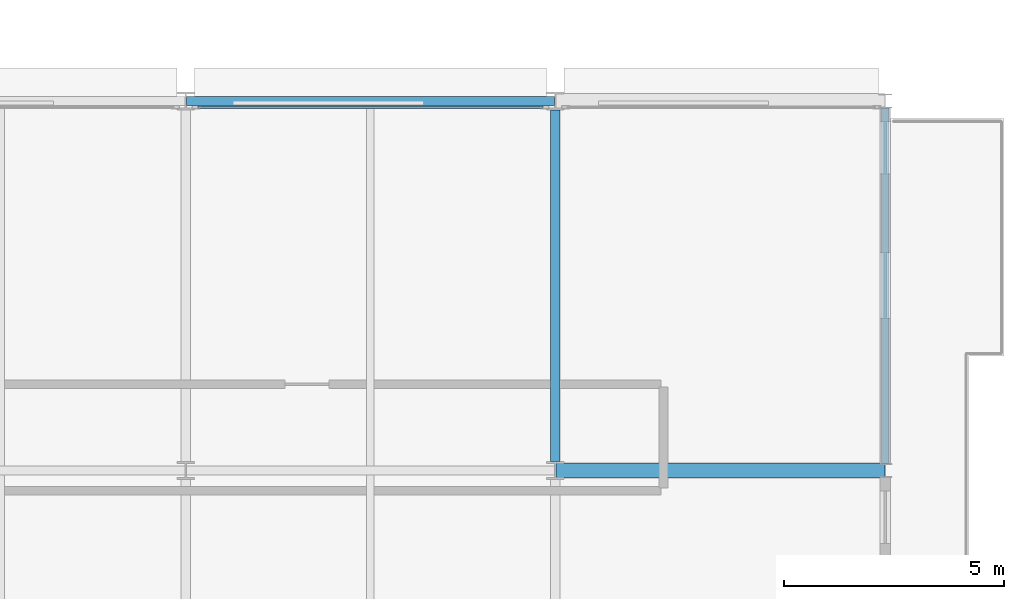
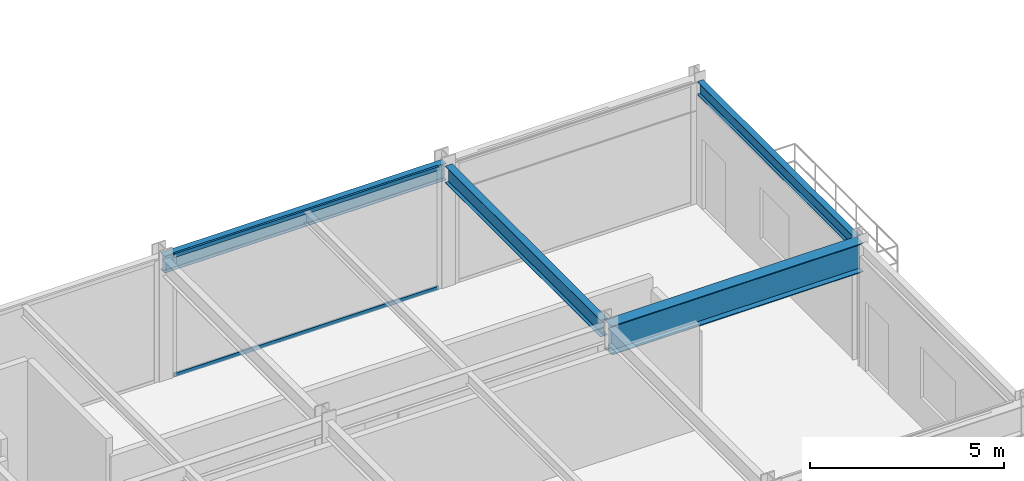
# One storey, part 21 of 39: 4 beams, 2 members, 1 element without a shape of its own.
"""IFC4 building model written with IfcOpenShell, lengths in metres."""

from ifc_helpers import new_model, si_unit, direction, frame, origin, origin_2d, place, context, subcontext, project, spatial, hollow_rectangle, i_section, extrude, material, layer, layer_set, material_profile, profile_set, type_object, element, aggregate, save


model = new_model("IFC4")

# Units and contexts
model_context = context("Model", 3, precision=1e-05, world=origin(), true_north=direction((0.0, 1.0)))
body_context = subcontext(model_context, "Body", "Model", "MODEL_VIEW")
ifc_project = project(units=[si_unit("LENGTHUNIT", "METRE"), si_unit("AREAUNIT", "SQUARE_METRE"), si_unit("VOLUMEUNIT", "CUBIC_METRE"), si_unit("PLANEANGLEUNIT", "RADIAN"), si_unit("MASSUNIT", "GRAM", prefix="KILO")], contexts=[model_context])

# Site, building, storey
site_placement = place(None, origin())
site = spatial("IfcSite", under=ifc_project, at=site_placement, CompositionType="ELEMENT")
building_placement = place(site_placement, origin())
building = spatial("IfcBuilding", under=site, at=building_placement, Name="Nerrivon Quay Data Exchange", CompositionType="ELEMENT")
storey_placement = place(building_placement, frame((0.0, 0.0, 104.89990234375)))
storey = spatial("IfcBuildingStorey", under=building, at=storey_placement, Name="L24", CompositionType="ELEMENT", Elevation=104.89990234375)

# Beams
ifc_material_1 = material(Name="Steel Grade 350", Category="steel")
ifc_material_profile_1 = material_profile(ifc_material_1, i_section(OverallWidth=0.35009765625, OverallDepth=0.909912109375, WebThickness=0.011962890625, FlangeThickness=0.02490234375, at=origin_2d()), Name="900WB218")
ifc_profile_set_1 = profile_set([ifc_material_profile_1], Name="Steel Grade 350")
beam_type_1 = type_object("IfcBeamType", Name="BM-CANT-900WB", PredefinedType="USERDEFINED", material=ifc_profile_set_1)
beam_1_placement = place(storey_placement, frame((50.41259765625, 16.800048828125, 3.3701171875), z_axis=(1.0, 0.0, 0.0), x_axis=(0.0, 1.0, 0.0)))
element("IfcBeam", 1, at=beam_1_placement, inside=storey, type_object=beam_type_1, Name="L24 East Hooked Cantilever Girder Y=16.8", ObjectType="TRANSFER", PredefinedType="USERDEFINED", context=body_context, shape_type="SweptSolid", body=[
    extrude(i_section(OverallWidth=0.35009765625, OverallDepth=0.909912109375, WebThickness=0.011962890625, FlangeThickness=0.02490234375, at=origin_2d()), origin(), (0.0, 0.0, 1.0), 7.4794921875),
])
ifc_material_profile_2 = material_profile(ifc_material_1, i_section(OverallWidth=0.208984375, OverallDepth=0.532958984375, WebThickness=0.01025390625, FlangeThickness=0.015625, FilletRadius=0.013916015625, at=origin_2d()), Name="530UB92.4")
ifc_profile_set_2 = profile_set([ifc_material_profile_2], Name="Steel Grade 350")
beam_type_2 = type_object("IfcBeamType", Name="BM-G3-530UB92", PredefinedType="BEAM", material=ifc_profile_set_2)
beam_2_placement = place(storey_placement, frame((42.012451171875, 25.199951171875, 3.55859375), z_axis=(1.0, 0.0, 0.0), x_axis=(0.0, 1.0, 0.0)))
element("IfcBeam", 2, at=beam_2_placement, inside=storey, type_object=beam_type_2, Name="L24 EW Girder Y=25.2 (42.0..50.4)", PredefinedType="BEAM", context=body_context, shape_type="SweptSolid", body=[
    extrude(i_section(OverallWidth=0.208984375, OverallDepth=0.532958984375, WebThickness=0.01025390625, FlangeThickness=0.015625, FilletRadius=0.013916015625, at=origin_2d()), origin(), (0.0, 0.0, 1.0), 8.375),
])
ifc_material_profile_3 = material_profile(ifc_material_1, i_section(OverallWidth=0.208984375, OverallDepth=0.528076171875, WebThickness=0.009521484375, FlangeThickness=0.01318359375, FilletRadius=0.013916015625, at=origin_2d()), Name="530UB82.0")
ifc_profile_set_3 = profile_set([ifc_material_profile_3], Name="Steel Grade 350")
beam_type_3 = type_object("IfcBeamType", Name="BM-G4-530UB82", PredefinedType="BEAM", material=ifc_profile_set_3)
beam_3_placement = place(storey_placement, frame((50.39990234375, 17.0, 3.56103515625), z_axis=(0.0, 1.0, 0.0), x_axis=(-1.0, 0.0, 0.0)))
element("IfcBeam", 3, at=beam_3_placement, inside=storey, type_object=beam_type_3, Name="L24 NS Girder X=50.4 (16.8..25.2)", PredefinedType="BEAM", context=body_context, shape_type="SweptSolid", body=[
    extrude(i_section(OverallWidth=0.208984375, OverallDepth=0.528076171875, WebThickness=0.009521484375, FlangeThickness=0.01318359375, FilletRadius=0.013916015625, at=origin_2d()), origin(), (0.0, 0.0, 1.0), 8.0),
])
ifc_material_profile_4 = material_profile(ifc_material_1, i_section(OverallWidth=0.177978515625, OverallDepth=0.403076171875, WebThickness=0.007568359375, FlangeThickness=0.010986328125, FilletRadius=0.011474609375, at=origin_2d()), Name="410UB53.7")
ifc_profile_set_4 = profile_set([ifc_material_profile_4], Name="Steel Grade 350")
beam_type_4 = type_object("IfcBeamType", Name="BM-SP2-410UB54", PredefinedType="SPANDREL", material=ifc_profile_set_4)
beam_4_placement = place(storey_placement, frame((57.89990234375, 16.96337890625, 3.62353515625), z_axis=(0.0, 1.0, 0.0), x_axis=(-1.0, 0.0, 0.0)))
element("IfcBeam", 4, at=beam_4_placement, inside=storey, type_object=beam_type_4, Name="L24 East Hooked Edge Spandrel", PredefinedType="SPANDREL", context=body_context, shape_type="SweptSolid", body=[
    extrude(i_section(OverallWidth=0.177978515625, OverallDepth=0.403076171875, WebThickness=0.007568359375, FlangeThickness=0.010986328125, FilletRadius=0.011474609375, at=origin_2d()), origin(), (0.0, 0.0, 1.0), 8.0732421875),
])

# Curtain wall, members
ifc_material_2 = material(Name="Anodised aluminium 6063-T6", Category="aluminium")
ifc_layer = layer(ifc_material_2, 0.2099609375)
ifc_layer_set = layer_set([ifc_layer], Name="Anodised aluminium 6063-T6")
curtain_wall_type = type_object("IfcCurtainWallType", Name="CW-SYS-02", PredefinedType="NOTDEFINED", material=ifc_layer_set)
curtain_wall_placement = place(storey_placement, origin())
curtain_wall = element("IfcCurtainWall", 5, at=curtain_wall_placement, inside=storey, type_object=curtain_wall_type, Name="L24 Unitised Curtain Wall 34", PredefinedType="NOTDEFINED")
ifc_material_profile_5 = material_profile(ifc_material_2, hollow_rectangle(XDim=0.06005859375, YDim=0.1201171875, WallThickness=0.003173828125, at=origin_2d()), Name="ALU-TRAN-120x60")
ifc_profile_set_5 = profile_set([ifc_material_profile_5], Name="Anodised aluminium 6063-T6")
member_type = type_object("IfcMemberType", Name="CWT-120x60", PredefinedType="USERDEFINED", material=ifc_profile_set_5)
member_1_placement = place(storey_placement, frame((42.27490234375, 25.06005859375, 0.03271484375), z_axis=(1.0, 0.0, 0.0), x_axis=(0.0, 1.0, 0.0)))
member_1 = element("IfcMember", 6, at=member_1_placement, type_object=member_type, Name="CW02 transom 1.1", ObjectType="TRANSOM", PredefinedType="USERDEFINED", context=body_context, shape_type="SweptSolid", body=[
    extrude(hollow_rectangle(XDim=0.06005859375, YDim=0.1201171875, WallThickness=0.003173828125, at=origin_2d()), origin(), (0.0, 0.0, 1.0), 7.85009765625),
])
member_2_placement = place(storey_placement, frame((42.27490234375, 25.06005859375, 3.79248046875), z_axis=(1.0, 0.0, 0.0), x_axis=(0.0, 1.0, 0.0)))
member_2 = element("IfcMember", 7, at=member_2_placement, type_object=member_type, Name="CW02 transom 1.2", ObjectType="TRANSOM", PredefinedType="USERDEFINED", context=body_context, shape_type="SweptSolid", body=[
    extrude(hollow_rectangle(XDim=0.06005859375, YDim=0.1201171875, WallThickness=0.003173828125, at=origin_2d()), origin(), (0.0, 0.0, 1.0), 7.85009765625),
])
aggregate(curtain_wall, [member_1, member_2])

save(model, "model.ifc")
